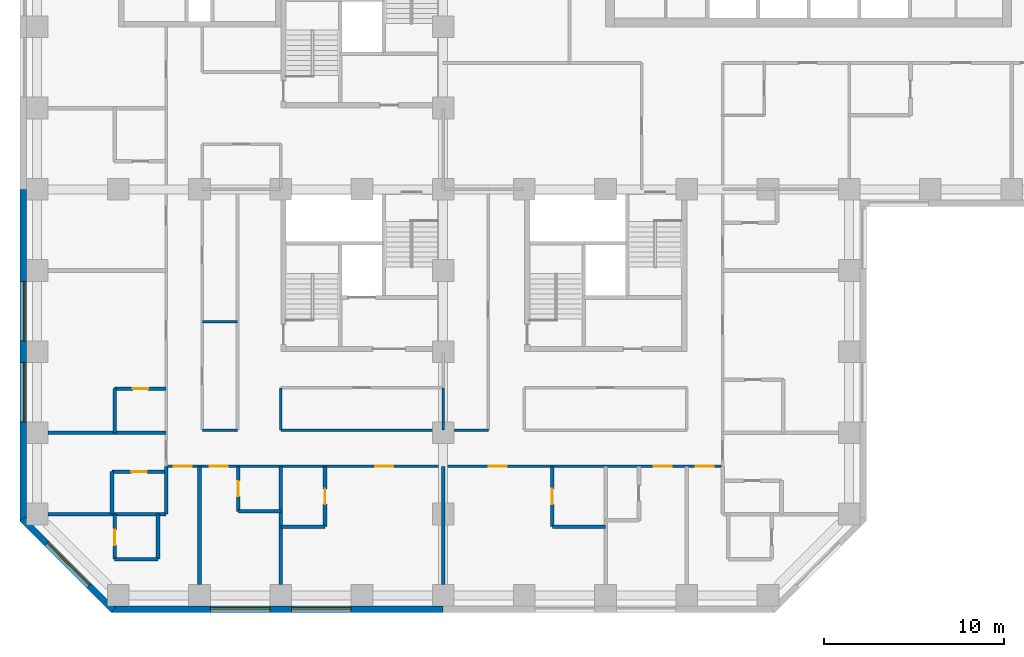
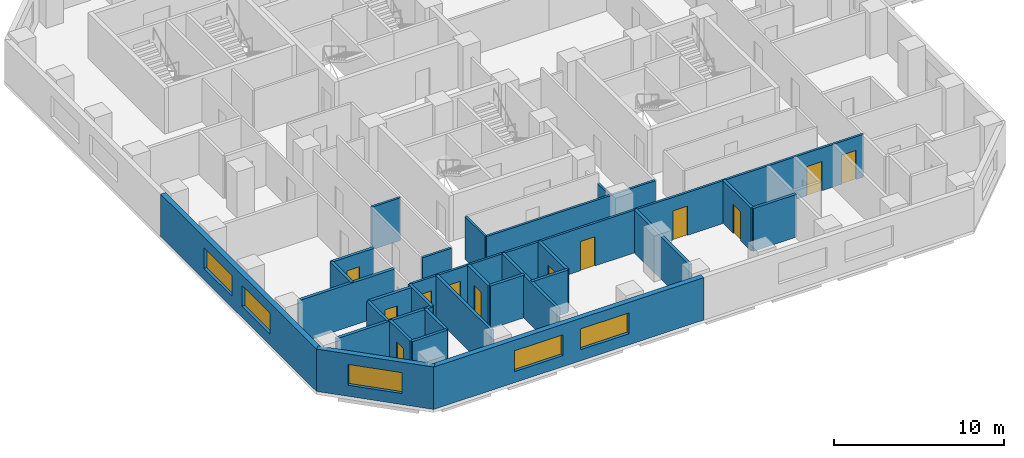
# One storey, part 2 of 12: 28 walls, 12 doors, 5 windows, 17 openings.
"""IFC4 building model written with IfcOpenShell, lengths in metres."""

from ifc_helpers import new_model, si_unit, direction, frame, frame_2d, origin, place, context, subcontext, project, spatial, rectangle, extrude, material, layer, layer_set, constituent, constituent_set, type_object, element, fill, save


model = new_model("IFC4")

# Units and contexts
model_context = context("Model", 3, precision=1e-05, world=origin(), true_north=direction((0.0, 1.0)))
body_context = subcontext(model_context, "Body", "Model", "MODEL_VIEW")
ifc_project = project(units=[si_unit("LENGTHUNIT", "METRE"), si_unit("AREAUNIT", "SQUARE_METRE"), si_unit("VOLUMEUNIT", "CUBIC_METRE"), si_unit("PLANEANGLEUNIT", "RADIAN"), si_unit("MASSUNIT", "GRAM", prefix="KILO")], contexts=[model_context])

# Site, building, storey
site_placement = place(None, origin())
site = spatial("IfcSite", under=ifc_project, at=site_placement, CompositionType="ELEMENT")
building_placement = place(site_placement, origin())
building = spatial("IfcBuilding", under=site, at=building_placement, Name="Quoin Convention Tower", CompositionType="ELEMENT")
storey_placement = place(building_placement, frame((0.0, 0.0, 46.199951171875)))
storey = spatial("IfcBuildingStorey", under=building, at=storey_placement, Name="L11", CompositionType="ELEMENT", Elevation=46.199951171875)

# Wall, opening, window
ifc_material_1 = material(Name="Brick masonry", Category="masonry")
ifc_layer_1 = layer(ifc_material_1, 0.35009765625)
ifc_layer_set_1 = layer_set([ifc_layer_1], Name="Brick masonry")
wall_type_1 = type_object("IfcWallType", Name="Brick facade wall", PredefinedType="STANDARD", material=ifc_layer_set_1)
wall_1_placement = place(storey_placement, frame((12.673583984375, 22.230224609375, 0.0), z_axis=(0.0, 0.0, 1.0), x_axis=(0.707106781187, -0.707106781187, 0.0)))
wall_1 = element("IfcWall", 1, at=wall_1_placement, inside=storey, type_object=wall_type_1, Name="fw-L11-13500_22500", PredefinedType="STANDARD", context=body_context, shape_type="SweptSolid", body=[
    extrude(rectangle(XDim=7.151123046875, YDim=0.35009765625, at=frame_2d((3.57568359375, 0.0))), origin(), (0.0, 0.0, 1.0), 3.054931640625),
])
opening_1_placement = place(wall_1_placement, frame((1.925537109375, 0.0, 0.800048828125)))
opening_1 = element("IfcOpeningElement", 2, at=opening_1_placement, cuts=wall_1, Name="Opening W-01", PredefinedType="OPENING", context=body_context, shape_type="SweptSolid", body=[
    extrude(rectangle(XDim=3.300048828125, YDim=1.5, at=frame_2d((1.64990234375, 0.75))), frame((0.0, 0.18505859375, 0.0), z_axis=(0.0, -1.0, 0.0), x_axis=(1.0, 0.0, 0.0)), (0.0, 0.0, 1.0), 0.3701171875),
])
ifc_material_2 = material(Name="Aluminium", Category="aluminium")
ifc_constituent_1 = constituent(ifc_material_2, Name="Frame")
ifc_material_3 = material(Name="Insulated glass", Category="glass")
ifc_constituent_2 = constituent(ifc_material_3, Name="Glazing")
ifc_constituent_set = constituent_set(constituents=[ifc_constituent_1, ifc_constituent_2], Name="Aluminium")
window_type = type_object("IfcWindowType", Name="Hotel strip window", PartitioningType="DOUBLE_PANEL_VERTICAL", PredefinedType="WINDOW", material=ifc_constituent_set)
window_1_placement = place(opening_1_placement, origin())
window_1 = element("IfcWindow", 3, at=window_1_placement, inside=storey, type_object=window_type, Name="win-L11-15202_19702", OverallHeight=1.5, OverallWidth=3.300048828125, PartitioningType="SINGLE_PANEL", PredefinedType="WINDOW", context=body_context, shape_type="SweptSolid", body=[
    extrude(rectangle(XDim=3.300048828125, YDim=1.5, at=frame_2d((1.64990234375, 0.75))), frame((0.0, 0.0849609375, 0.0), z_axis=(0.0, -1.0, 0.0), x_axis=(1.0, 0.0, 0.0)), (0.0, 0.0, 1.0), 0.06005859375),
])
fill(opening_1, window_1)

# Wall, openings, windows
wall_2_placement = place(storey_placement, frame((17.6064453125, 17.22509765625, 0.0), z_axis=(0.0, 0.0, 1.0), x_axis=(1.0, 0.0, 0.0)))
wall_2 = element("IfcWall", 4, at=wall_2_placement, inside=storey, type_object=wall_type_1, Name="fw-L11-18000_18000", PredefinedType="STANDARD", context=body_context, shape_type="SweptSolid", body=[
    extrude(rectangle(XDim=18.3935546875, YDim=0.35009765625, at=frame_2d((9.19677734375, 0.0))), origin(), (0.0, 0.0, 1.0), 3.054931640625),
])
opening_2_placement = place(wall_2_placement, frame((5.493408203125, 0.0, 0.800048828125)))
opening_2 = element("IfcOpeningElement", 5, at=opening_2_placement, cuts=wall_2, Name="Opening W-01", PredefinedType="OPENING", context=body_context, shape_type="SweptSolid", body=[
    extrude(rectangle(XDim=3.300048828125, YDim=1.5, at=frame_2d((1.64990234375, 0.75))), frame((0.0, 0.18505859375, 0.0), z_axis=(0.0, -1.0, 0.0), x_axis=(1.0, 0.0, 0.0)), (0.0, 0.0, 1.0), 0.3701171875),
])
opening_3_placement = place(wall_2_placement, frame((9.993408203125, 0.0, 0.800048828125)))
opening_3 = element("IfcOpeningElement", 6, at=opening_3_placement, cuts=wall_2, Name="Opening W-01", PredefinedType="OPENING", context=body_context, shape_type="SweptSolid", body=[
    extrude(rectangle(XDim=3.300048828125, YDim=1.5, at=frame_2d((1.64990234375, 0.75))), frame((0.0, 0.18505859375, 0.0), z_axis=(0.0, -1.0, 0.0), x_axis=(1.0, 0.0, 0.0)), (0.0, 0.0, 1.0), 0.3701171875),
])
window_2_placement = place(opening_2_placement, origin())
window_2 = element("IfcWindow", 7, at=window_2_placement, inside=storey, type_object=window_type, Name="win-L11-24750_17225", OverallHeight=1.5, OverallWidth=3.300048828125, PartitioningType="SINGLE_PANEL", PredefinedType="WINDOW", context=body_context, shape_type="SweptSolid", body=[
    extrude(rectangle(XDim=3.300048828125, YDim=1.5, at=frame_2d((1.64990234375, 0.75))), frame((0.0, 0.0849609375, 0.0), z_axis=(0.0, -1.0, 0.0), x_axis=(1.0, 0.0, 0.0)), (0.0, 0.0, 1.0), 0.06005859375),
])
fill(opening_2, window_2)
window_3_placement = place(opening_3_placement, origin())
window_3 = element("IfcWindow", 8, at=window_3_placement, inside=storey, type_object=window_type, Name="win-L11-29250_17225", OverallHeight=1.5, OverallWidth=3.300048828125, PartitioningType="SINGLE_PANEL", PredefinedType="WINDOW", context=body_context, shape_type="SweptSolid", body=[
    extrude(rectangle(XDim=3.300048828125, YDim=1.5, at=frame_2d((1.64990234375, 0.75))), frame((0.0, 0.0849609375, 0.0), z_axis=(0.0, -1.0, 0.0), x_axis=(1.0, 0.0, 0.0)), (0.0, 0.0, 1.0), 0.06005859375),
])
fill(opening_3, window_3)

wall_3_placement = place(storey_placement, frame((12.72509765625, 40.5, 0.0), z_axis=(0.0, 0.0, 1.0), x_axis=(0.0, -1.0, 0.0)))
wall_3 = element("IfcWall", 9, at=wall_3_placement, inside=storey, type_object=wall_type_1, Name="fw-L11-13500_40500", PredefinedType="STANDARD", context=body_context, shape_type="SweptSolid", body=[
    extrude(rectangle(XDim=18.3935546875, YDim=0.35009765625, at=frame_2d((9.19677734375, 0.0))), origin(), (0.0, 0.0, 1.0), 3.054931640625),
])
opening_4_placement = place(wall_3_placement, frame((5.10009765625, 0.0, 0.800048828125)))
opening_4 = element("IfcOpeningElement", 10, at=opening_4_placement, cuts=wall_3, Name="Opening W-01", PredefinedType="OPENING", context=body_context, shape_type="SweptSolid", body=[
    extrude(rectangle(XDim=3.300048828125, YDim=1.5, at=frame_2d((1.64990234375, 0.75))), frame((0.0, 0.18505859375, 0.0), z_axis=(0.0, -1.0, 0.0), x_axis=(1.0, 0.0, 0.0)), (0.0, 0.0, 1.0), 0.3701171875),
])
opening_5_placement = place(wall_3_placement, frame((9.60009765625, 0.0, 0.800048828125)))
opening_5 = element("IfcOpeningElement", 11, at=opening_5_placement, cuts=wall_3, Name="Opening W-01", PredefinedType="OPENING", context=body_context, shape_type="SweptSolid", body=[
    extrude(rectangle(XDim=3.300048828125, YDim=1.5, at=frame_2d((1.64990234375, 0.75))), frame((0.0, 0.18505859375, 0.0), z_axis=(0.0, -1.0, 0.0), x_axis=(1.0, 0.0, 0.0)), (0.0, 0.0, 1.0), 0.3701171875),
])
window_4_placement = place(opening_4_placement, origin())
window_4 = element("IfcWindow", 12, at=window_4_placement, inside=storey, type_object=window_type, Name="win-L11-12725_33750", OverallHeight=1.5, OverallWidth=3.300048828125, PartitioningType="SINGLE_PANEL", PredefinedType="WINDOW", context=body_context, shape_type="SweptSolid", body=[
    extrude(rectangle(XDim=3.300048828125, YDim=1.5, at=frame_2d((1.64990234375, 0.75))), frame((0.0, 0.0849609375, 0.0), z_axis=(0.0, -1.0, 0.0), x_axis=(1.0, 0.0, 0.0)), (0.0, 0.0, 1.0), 0.06005859375),
])
fill(opening_4, window_4)
window_5_placement = place(opening_5_placement, origin())
window_5 = element("IfcWindow", 13, at=window_5_placement, inside=storey, type_object=window_type, Name="win-L11-12725_29250", OverallHeight=1.5, OverallWidth=3.300048828125, PartitioningType="SINGLE_PANEL", PredefinedType="WINDOW", context=body_context, shape_type="SweptSolid", body=[
    extrude(rectangle(XDim=3.300048828125, YDim=1.5, at=frame_2d((1.64990234375, 0.75))), frame((0.0, 0.0849609375, 0.0), z_axis=(0.0, -1.0, 0.0), x_axis=(1.0, 0.0, 0.0)), (0.0, 0.0, 1.0), 0.06005859375),
])
fill(opening_5, window_5)

# Walls
ifc_material_4 = material(Name="Concrete C50", Category="concrete")
ifc_layer_2 = layer(ifc_material_4, 0.199951171875)
ifc_layer_set_2 = layer_set([ifc_layer_2], Name="Concrete C50")
wall_type_2 = type_object("IfcWallType", Name="RC party wall", PredefinedType="SOLIDWALL", material=ifc_layer_set_2)
for number, where, z_axis, x_axis, name in (
    (14, (22.5, 18.60009765625, 0.0), (0.0, 0.0, 1.0), (0.0, 1.0, 0.0), "pw-L11-035"),
    (15, (27.0, 18.60009765625, 0.0), (0.0, 0.0, 1.0), (0.0, 1.0, 0.0), "pw-L11-036"),
    (16, (36.0, 18.60009765625, 0.0), (0.0, 0.0, 1.0), (0.0, 1.0, 0.0), "pw-L11-037"),
):
    element("IfcWall", number, at=place(storey_placement, frame(where, z_axis=z_axis, x_axis=x_axis)), inside=storey, type_object=wall_type_2, Name=name, PredefinedType="SOLIDWALL", context=body_context, shape_type="SweptSolid", body=[
        extrude(rectangle(XDim=6.5498046875, YDim=0.199951171875, at=frame_2d((3.27490234375, 0.0))), origin(), (0.0, 0.0, 1.0), 3.080078125),
    ])
wall_4_placement = place(storey_placement, frame((17.800048828125, 20.0, 0.0), z_axis=(0.0, 0.0, 1.0), x_axis=(1.0, 0.0, 0.0)))
element("IfcWall", 17, at=wall_4_placement, inside=storey, type_object=wall_type_2, Name="pw-L11-040", PredefinedType="SOLIDWALL", context=body_context, shape_type="SweptSolid", body=[
    extrude(rectangle(XDim=2.39990234375, YDim=0.199951171875, at=frame_2d((1.199951171875, 0.0))), origin(), (0.0, 0.0, 1.0), 3.080078125),
])

# Wall, opening, door
wall_5_placement = place(storey_placement, frame((17.800048828125, 20.0, 0.0), z_axis=(0.0, 0.0, 1.0), x_axis=(0.0, 1.0, 0.0)))
wall_5 = element("IfcWall", 18, at=wall_5_placement, inside=storey, type_object=wall_type_2, Name="pw-L11-041", PredefinedType="SOLIDWALL", context=body_context, shape_type="SweptSolid", body=[
    extrude(rectangle(XDim=2.5, YDim=0.199951171875, at=frame_2d((1.25, 0.0))), origin(), (0.0, 0.0, 1.0), 3.080078125),
])
opening_6_placement = place(wall_5_placement, frame((0.77490234375, 0.0, 0.0)))
opening_6 = element("IfcOpeningElement", 19, at=opening_6_placement, cuts=wall_5, Name="Opening DHOTEL-H-43", PredefinedType="OPENING", context=body_context, shape_type="SweptSolid", body=[
    extrude(rectangle(XDim=0.85009765625, YDim=2.10009765625, at=frame_2d((0.425048828125, 1.050048828125))), frame((0.0, 0.10986328125, 0.0), z_axis=(0.0, -1.0, 0.0), x_axis=(1.0, 0.0, 0.0)), (0.0, 0.0, 1.0), 0.219970703125),
])
ifc_material_5 = material(Name="Steel door leaf", Category="steel")
door_type_1 = type_object("IfcDoorType", Name="Bathroom door", OperationType="SINGLE_SWING_LEFT", PredefinedType="DOOR", material=ifc_material_5)
door_1_placement = place(opening_6_placement, origin())
door_1 = element("IfcDoor", 20, at=door_1_placement, inside=storey, type_object=door_type_1, Name="dr-L11-058", OperationType="SINGLE_SWING_RIGHT", OverallHeight=2.10009765625, OverallWidth=0.85009765625, PredefinedType="DOOR", context=body_context, shape_type="SweptSolid", body=[
    extrude(rectangle(XDim=0.85009765625, YDim=2.10009765625, at=frame_2d((0.425048828125, 1.050048828125))), frame((0.0, 0.02490234375, 0.0), z_axis=(0.0, -1.0, 0.0), x_axis=(1.0, 0.0, 0.0)), (0.0, 0.0, 1.0), 0.050048828125),
])
fill(opening_6, door_1)

# Walls
wall_6_placement = place(storey_placement, frame((20.199951171875, 20.0, 0.0), z_axis=(0.0, 0.0, 1.0), x_axis=(0.0, 1.0, 0.0)))
element("IfcWall", 21, at=wall_6_placement, inside=storey, type_object=wall_type_2, Name="pw-L11-042", PredefinedType="SOLIDWALL", context=body_context, shape_type="SweptSolid", body=[
    extrude(rectangle(XDim=2.5, YDim=0.199951171875, at=frame_2d((1.25, 0.0))), origin(), (0.0, 0.0, 1.0), 3.080078125),
])
wall_7_placement = place(storey_placement, frame((27.0, 21.800048828125, 0.0), z_axis=(0.0, 0.0, 1.0), x_axis=(1.0, 0.0, 0.0)))
element("IfcWall", 22, at=wall_7_placement, inside=storey, type_object=wall_type_2, Name="pw-L11-046", PredefinedType="SOLIDWALL", context=body_context, shape_type="SweptSolid", body=[
    extrude(rectangle(XDim=2.449951171875, YDim=0.199951171875, at=frame_2d((1.22509765625, 0.0))), origin(), (0.0, 0.0, 1.0), 3.080078125),
])

# Wall, opening, door
wall_8_placement = place(storey_placement, frame((29.449951171875, 21.800048828125, 0.0), z_axis=(0.0, 0.0, 1.0), x_axis=(0.0, 1.0, 0.0)))
wall_8 = element("IfcWall", 23, at=wall_8_placement, inside=storey, type_object=wall_type_2, Name="pw-L11-047", PredefinedType="SOLIDWALL", context=body_context, shape_type="SweptSolid", body=[
    extrude(rectangle(XDim=3.349853515625, YDim=0.199951171875, at=frame_2d((1.6748046875, 0.0))), origin(), (0.0, 0.0, 1.0), 3.080078125),
])
opening_7_placement = place(wall_8_placement, frame((1.25, 0.0, 0.0)))
opening_7 = element("IfcOpeningElement", 24, at=opening_7_placement, cuts=wall_8, Name="Opening DHOTEL-H-45", PredefinedType="OPENING", context=body_context, shape_type="SweptSolid", body=[
    extrude(rectangle(XDim=0.85009765625, YDim=2.10009765625, at=frame_2d((0.425048828125, 1.050048828125))), frame((0.0, 0.10986328125, 0.0), z_axis=(0.0, -1.0, 0.0), x_axis=(1.0, 0.0, 0.0)), (0.0, 0.0, 1.0), 0.219970703125),
])
door_2_placement = place(opening_7_placement, frame((0.85009765625, 0.0, 0.0), z_axis=(0.0, 0.0, 1.0), x_axis=(-1.0, 0.0, 0.0)))
door_2 = element("IfcDoor", 25, at=door_2_placement, inside=storey, type_object=door_type_1, Name="dr-L11-004", OperationType="SINGLE_SWING_LEFT", OverallHeight=2.10009765625, OverallWidth=0.85009765625, PredefinedType="DOOR", context=body_context, shape_type="SweptSolid", body=[
    extrude(rectangle(XDim=0.85009765625, YDim=2.10009765625, at=frame_2d((0.425048828125, 1.050048828125))), frame((0.0, 0.02490234375, 0.0), z_axis=(0.0, -1.0, 0.0), x_axis=(1.0, 0.0, 0.0)), (0.0, 0.0, 1.0), 0.050048828125),
])
fill(opening_7, door_2)

# Wall
wall_9_placement = place(storey_placement, frame((42.050048828125, 21.800048828125, 0.0), z_axis=(0.0, 0.0, 1.0), x_axis=(1.0, 0.0, 0.0)))
element("IfcWall", 26, at=wall_9_placement, inside=storey, type_object=wall_type_2, Name="pw-L11-048", PredefinedType="SOLIDWALL", context=body_context, shape_type="SweptSolid", body=[
    extrude(rectangle(XDim=2.949951171875, YDim=0.199951171875, at=frame_2d((1.47509765625, 0.0))), origin(), (0.0, 0.0, 1.0), 3.080078125),
])

# Wall, opening, door
wall_10_placement = place(storey_placement, frame((42.050048828125, 21.800048828125, 0.0), z_axis=(0.0, 0.0, 1.0), x_axis=(0.0, 1.0, 0.0)))
wall_10 = element("IfcWall", 27, at=wall_10_placement, inside=storey, type_object=wall_type_2, Name="pw-L11-049", PredefinedType="SOLIDWALL", context=body_context, shape_type="SweptSolid", body=[
    extrude(rectangle(XDim=3.349853515625, YDim=0.199951171875, at=frame_2d((1.6748046875, 0.0))), origin(), (0.0, 0.0, 1.0), 3.080078125),
])
opening_8_placement = place(wall_10_placement, frame((1.25, 0.0, 0.0)))
opening_8 = element("IfcOpeningElement", 28, at=opening_8_placement, cuts=wall_10, Name="Opening DHOTEL-H-46", PredefinedType="OPENING", context=body_context, shape_type="SweptSolid", body=[
    extrude(rectangle(XDim=0.85009765625, YDim=2.10009765625, at=frame_2d((0.425048828125, 1.050048828125))), frame((0.0, 0.10986328125, 0.0), z_axis=(0.0, -1.0, 0.0), x_axis=(1.0, 0.0, 0.0)), (0.0, 0.0, 1.0), 0.219970703125),
])
door_3_placement = place(opening_8_placement, origin())
door_3 = element("IfcDoor", 29, at=door_3_placement, inside=storey, type_object=door_type_1, Name="dr-L11-006", OperationType="SINGLE_SWING_RIGHT", OverallHeight=2.10009765625, OverallWidth=0.85009765625, PredefinedType="DOOR", context=body_context, shape_type="SweptSolid", body=[
    extrude(rectangle(XDim=0.85009765625, YDim=2.10009765625, at=frame_2d((0.425048828125, 1.050048828125))), frame((0.0, 0.02490234375, 0.0), z_axis=(0.0, -1.0, 0.0), x_axis=(1.0, 0.0, 0.0)), (0.0, 0.0, 1.0), 0.050048828125),
])
fill(opening_8, door_3)

# Walls
wall_11_placement = place(storey_placement, frame((14.10009765625, 22.5, 0.0), z_axis=(0.0, 0.0, 1.0), x_axis=(1.0, 0.0, 0.0)))
element("IfcWall", 30, at=wall_11_placement, inside=storey, type_object=wall_type_2, Name="pw-L11-052", PredefinedType="SOLIDWALL", context=body_context, shape_type="SweptSolid", body=[
    extrude(rectangle(XDim=6.5498046875, YDim=0.199951171875, at=frame_2d((3.27490234375, 0.0))), origin(), (0.0, 0.0, 1.0), 3.080078125),
])
wall_12_placement = place(storey_placement, frame((17.64990234375, 22.5, 0.0), z_axis=(0.0, 0.0, 1.0), x_axis=(0.0, 1.0, 0.0)))
element("IfcWall", 31, at=wall_12_placement, inside=storey, type_object=wall_type_2, Name="pw-L11-053", PredefinedType="SOLIDWALL", context=body_context, shape_type="SweptSolid", body=[
    extrude(rectangle(XDim=2.35009765625, YDim=0.199951171875, at=frame_2d((1.175048828125, 0.0))), origin(), (0.0, 0.0, 1.0), 3.080078125),
])
wall_13_placement = place(storey_placement, frame((20.64990234375, 22.5, 0.0), z_axis=(0.0, 0.0, 1.0), x_axis=(0.0, 1.0, 0.0)))
element("IfcWall", 32, at=wall_13_placement, inside=storey, type_object=wall_type_2, Name="pw-L11-054", PredefinedType="SOLIDWALL", context=body_context, shape_type="SweptSolid", body=[
    extrude(rectangle(XDim=2.64990234375, YDim=0.199951171875, at=frame_2d((1.324951171875, 0.0))), origin(), (0.0, 0.0, 1.0), 3.080078125),
])
wall_14_placement = place(storey_placement, frame((24.64990234375, 22.64990234375, 0.0), z_axis=(0.0, 0.0, 1.0), x_axis=(1.0, 0.0, 0.0)))
element("IfcWall", 33, at=wall_14_placement, inside=storey, type_object=wall_type_2, Name="pw-L11-058", PredefinedType="SOLIDWALL", context=body_context, shape_type="SweptSolid", body=[
    extrude(rectangle(XDim=2.35009765625, YDim=0.199951171875, at=frame_2d((1.175048828125, 0.0))), origin(), (0.0, 0.0, 1.0), 3.080078125),
])

# Wall, opening, door
wall_15_placement = place(storey_placement, frame((24.64990234375, 22.64990234375, 0.0), z_axis=(0.0, 0.0, 1.0), x_axis=(0.0, 1.0, 0.0)))
wall_15 = element("IfcWall", 34, at=wall_15_placement, inside=storey, type_object=wall_type_2, Name="pw-L11-059", PredefinedType="SOLIDWALL", context=body_context, shape_type="SweptSolid", body=[
    extrude(rectangle(XDim=2.5, YDim=0.199951171875, at=frame_2d((1.25, 0.0))), origin(), (0.0, 0.0, 1.0), 3.080078125),
])
opening_9_placement = place(wall_15_placement, frame((0.824951171875, 0.0, 0.0)))
opening_9 = element("IfcOpeningElement", 35, at=opening_9_placement, cuts=wall_15, Name="Opening DHOTEL-H-48", PredefinedType="OPENING", context=body_context, shape_type="SweptSolid", body=[
    extrude(rectangle(XDim=0.85009765625, YDim=2.10009765625, at=frame_2d((0.425048828125, 1.050048828125))), frame((0.0, 0.10986328125, 0.0), z_axis=(0.0, -1.0, 0.0), x_axis=(1.0, 0.0, 0.0)), (0.0, 0.0, 1.0), 0.219970703125),
])
door_4_placement = place(opening_9_placement, frame((0.85009765625, 0.0, 0.0), z_axis=(0.0, 0.0, 1.0), x_axis=(-1.0, 0.0, 0.0)))
door_4 = element("IfcDoor", 36, at=door_4_placement, inside=storey, type_object=door_type_1, Name="dr-L11-002", OperationType="SINGLE_SWING_LEFT", OverallHeight=2.10009765625, OverallWidth=0.85009765625, PredefinedType="DOOR", context=body_context, shape_type="SweptSolid", body=[
    extrude(rectangle(XDim=0.85009765625, YDim=2.10009765625, at=frame_2d((0.425048828125, 1.050048828125))), frame((0.0, 0.02490234375, 0.0), z_axis=(0.0, -1.0, 0.0), x_axis=(1.0, 0.0, 0.0)), (0.0, 0.0, 1.0), 0.050048828125),
])
fill(opening_9, door_4)

wall_16_placement = place(storey_placement, frame((17.64990234375, 24.85009765625, 0.0), z_axis=(0.0, 0.0, 1.0), x_axis=(1.0, 0.0, 0.0)))
wall_16 = element("IfcWall", 37, at=wall_16_placement, inside=storey, type_object=wall_type_2, Name="pw-L11-061", PredefinedType="SOLIDWALL", context=body_context, shape_type="SweptSolid", body=[
    extrude(rectangle(XDim=3.0, YDim=0.199951171875, at=frame_2d((1.5, 0.0))), origin(), (0.0, 0.0, 1.0), 3.080078125),
])
opening_10_placement = place(wall_16_placement, frame((1.074951171875, 0.0, 0.0)))
opening_10 = element("IfcOpeningElement", 38, at=opening_10_placement, cuts=wall_16, Name="Opening DHOTEL-H-50", PredefinedType="OPENING", context=body_context, shape_type="SweptSolid", body=[
    extrude(rectangle(XDim=0.85009765625, YDim=2.10009765625, at=frame_2d((0.425048828125, 1.050048828125))), frame((0.0, 0.10986328125, 0.0), z_axis=(0.0, -1.0, 0.0), x_axis=(1.0, 0.0, 0.0)), (0.0, 0.0, 1.0), 0.219970703125),
])
door_5_placement = place(opening_10_placement, origin())
door_5 = element("IfcDoor", 39, at=door_5_placement, inside=storey, type_object=door_type_1, Name="dr-L11-010", OperationType="SINGLE_SWING_RIGHT", OverallHeight=2.10009765625, OverallWidth=0.85009765625, PredefinedType="DOOR", context=body_context, shape_type="SweptSolid", body=[
    extrude(rectangle(XDim=0.85009765625, YDim=2.10009765625, at=frame_2d((0.425048828125, 1.050048828125))), frame((0.0, 0.02490234375, 0.0), z_axis=(0.0, -1.0, 0.0), x_axis=(1.0, 0.0, 0.0)), (0.0, 0.0, 1.0), 0.050048828125),
])
fill(opening_10, door_5)

# Walls
wall_17_placement = place(storey_placement, frame((14.10009765625, 27.0, 0.0), z_axis=(0.0, 0.0, 1.0), x_axis=(1.0, 0.0, 0.0)))
element("IfcWall", 40, at=wall_17_placement, inside=storey, type_object=wall_type_2, Name="pw-L11-062", PredefinedType="SOLIDWALL", context=body_context, shape_type="SweptSolid", body=[
    extrude(rectangle(XDim=6.5498046875, YDim=0.199951171875, at=frame_2d((3.27490234375, 0.0))), origin(), (0.0, 0.0, 1.0), 3.080078125),
])
wall_18_placement = place(storey_placement, frame((17.800048828125, 27.0, 0.0), z_axis=(0.0, 0.0, 1.0), x_axis=(0.0, 1.0, 0.0)))
element("IfcWall", 41, at=wall_18_placement, inside=storey, type_object=wall_type_2, Name="pw-L11-063", PredefinedType="SOLIDWALL", context=body_context, shape_type="SweptSolid", body=[
    extrude(rectangle(XDim=2.449951171875, YDim=0.199951171875, at=frame_2d((1.22509765625, 0.0))), origin(), (0.0, 0.0, 1.0), 3.080078125),
])

# Wall, opening, door
wall_19_placement = place(storey_placement, frame((17.800048828125, 29.449951171875, 0.0), z_axis=(0.0, 0.0, 1.0), x_axis=(1.0, 0.0, 0.0)))
wall_19 = element("IfcWall", 42, at=wall_19_placement, inside=storey, type_object=wall_type_2, Name="pw-L11-066", PredefinedType="SOLIDWALL", context=body_context, shape_type="SweptSolid", body=[
    extrude(rectangle(XDim=2.849853515625, YDim=0.199951171875, at=frame_2d((1.4248046875, 0.0))), origin(), (0.0, 0.0, 1.0), 3.080078125),
])
opening_11_placement = place(wall_19_placement, frame((1.0, 0.0, 0.0)))
opening_11 = element("IfcOpeningElement", 43, at=opening_11_placement, cuts=wall_19, Name="Opening DHOTEL-H-51", PredefinedType="OPENING", context=body_context, shape_type="SweptSolid", body=[
    extrude(rectangle(XDim=0.85009765625, YDim=2.10009765625, at=frame_2d((0.425048828125, 1.050048828125))), frame((0.0, 0.10986328125, 0.0), z_axis=(0.0, -1.0, 0.0), x_axis=(1.0, 0.0, 0.0)), (0.0, 0.0, 1.0), 0.219970703125),
])
door_6_placement = place(opening_11_placement, origin())
door_6 = element("IfcDoor", 44, at=door_6_placement, inside=storey, type_object=door_type_1, Name="dr-L11-012", OperationType="SINGLE_SWING_RIGHT", OverallHeight=2.10009765625, OverallWidth=0.85009765625, PredefinedType="DOOR", context=body_context, shape_type="SweptSolid", body=[
    extrude(rectangle(XDim=0.85009765625, YDim=2.10009765625, at=frame_2d((0.425048828125, 1.050048828125))), frame((0.0, 0.02490234375, 0.0), z_axis=(0.0, -1.0, 0.0), x_axis=(1.0, 0.0, 0.0)), (0.0, 0.0, 1.0), 0.050048828125),
])
fill(opening_11, door_6)

# Wall, openings, doors
ifc_material_6 = material(Name="Plasterboard")
ifc_layer_3 = layer(ifc_material_6, 0.012451171875, Name="Finish")
ifc_material_7 = material(Name="Steel stud framing", Category="steel")
ifc_layer_4 = layer(ifc_material_7, 0.125, Name="Structure")
ifc_layer_5 = layer(ifc_material_6, 0.012451171875, Name="Finish")
ifc_layer_set_3 = layer_set([ifc_layer_3, ifc_layer_4, ifc_layer_5], Name="Steel stud framing")
wall_type_3 = type_object("IfcWallType", Name="corridor partition", PredefinedType="PARTITIONING", material=ifc_layer_set_3)
wall_20_placement = place(storey_placement, frame((20.64990234375, 25.14990234375, 0.0), z_axis=(0.0, 0.0, 1.0), x_axis=(1.0, 0.0, 0.0)))
wall_20 = element("IfcWall", 45, at=wall_20_placement, inside=storey, type_object=wall_type_3, Name="pw-L11-003", PredefinedType="PARTITIONING", context=body_context, shape_type="SweptSolid", body=[
    extrude(rectangle(XDim=30.85009765625, YDim=0.14990234375, at=frame_2d((15.425048828125, 0.0))), origin(), (0.0, 0.0, 1.0), 3.080078125),
])
opening_12_placement = place(wall_20_placement, frame((2.425048828125, 0.0, 0.0)))
opening_12 = element("IfcOpeningElement", 46, at=opening_12_placement, cuts=wall_20, Name="Opening DHOTEL-H-02", PredefinedType="OPENING", context=body_context, shape_type="SweptSolid", body=[
    extrude(rectangle(XDim=1.0, YDim=2.10009765625, at=frame_2d((0.5, 1.050048828125))), frame((0.0, 0.0849609375, 0.0), z_axis=(0.0, -1.0, 0.0), x_axis=(1.0, 0.0, 0.0)), (0.0, 0.0, 1.0), 0.169921875),
])
opening_13_placement = place(wall_20_placement, frame((11.574951171875, 0.0, 0.0)))
opening_13 = element("IfcOpeningElement", 47, at=opening_13_placement, cuts=wall_20, Name="Opening DHOTEL-H-03", PredefinedType="OPENING", context=body_context, shape_type="SweptSolid", body=[
    extrude(rectangle(XDim=1.0, YDim=2.10009765625, at=frame_2d((0.5, 1.050048828125))), frame((0.0, 0.0849609375, 0.0), z_axis=(0.0, -1.0, 0.0), x_axis=(1.0, 0.0, 0.0)), (0.0, 0.0, 1.0), 0.169921875),
])
opening_14_placement = place(wall_20_placement, frame((17.875, 0.0, 0.0)))
opening_14 = element("IfcOpeningElement", 48, at=opening_14_placement, cuts=wall_20, Name="Opening DHOTEL-H-04", PredefinedType="OPENING", context=body_context, shape_type="SweptSolid", body=[
    extrude(rectangle(XDim=1.0, YDim=2.10009765625, at=frame_2d((0.5, 1.050048828125))), frame((0.0, 0.0849609375, 0.0), z_axis=(0.0, -1.0, 0.0), x_axis=(1.0, 0.0, 0.0)), (0.0, 0.0, 1.0), 0.169921875),
])
opening_15_placement = place(wall_20_placement, frame((27.02490234375, 0.0, 0.0)))
opening_15 = element("IfcOpeningElement", 49, at=opening_15_placement, cuts=wall_20, Name="Opening DHOTEL-H-05", PredefinedType="OPENING", context=body_context, shape_type="SweptSolid", body=[
    extrude(rectangle(XDim=1.0, YDim=2.10009765625, at=frame_2d((0.5, 1.050048828125))), frame((0.0, 0.0849609375, 0.0), z_axis=(0.0, -1.0, 0.0), x_axis=(1.0, 0.0, 0.0)), (0.0, 0.0, 1.0), 0.169921875),
])
opening_16_placement = place(wall_20_placement, frame((0.425048828125, 0.0, 0.0)))
opening_16 = element("IfcOpeningElement", 50, at=opening_16_placement, cuts=wall_20, Name="Opening DHOTEL-H-01", PredefinedType="OPENING", context=body_context, shape_type="SweptSolid", body=[
    extrude(rectangle(XDim=1.0, YDim=2.10009765625, at=frame_2d((0.5, 1.050048828125))), frame((0.0, 0.0849609375, 0.0), z_axis=(0.0, -1.0, 0.0), x_axis=(1.0, 0.0, 0.0)), (0.0, 0.0, 1.0), 0.169921875),
])
opening_17_placement = place(wall_20_placement, frame((29.35009765625, 0.0, 0.0)))
opening_17 = element("IfcOpeningElement", 51, at=opening_17_placement, cuts=wall_20, Name="Opening DHOTEL-H-06", PredefinedType="OPENING", context=body_context, shape_type="SweptSolid", body=[
    extrude(rectangle(XDim=1.0, YDim=2.10009765625, at=frame_2d((0.5, 1.050048828125))), frame((0.0, 0.0849609375, 0.0), z_axis=(0.0, -1.0, 0.0), x_axis=(1.0, 0.0, 0.0)), (0.0, 0.0, 1.0), 0.169921875),
])
door_type_2 = type_object("IfcDoorType", Name="Hotel room door", OperationType="SINGLE_SWING_LEFT", PredefinedType="DOOR", material=ifc_material_5)
door_7_placement = place(opening_12_placement, frame((1.0, 0.0, 0.0), z_axis=(0.0, 0.0, 1.0), x_axis=(-1.0, 0.0, 0.0)))
door_7 = element("IfcDoor", 52, at=door_7_placement, inside=storey, type_object=door_type_2, Name="dr-L11-001", OperationType="SINGLE_SWING_LEFT", OverallHeight=2.10009765625, OverallWidth=1.0, PredefinedType="DOOR", context=body_context, shape_type="SweptSolid", body=[
    extrude(rectangle(XDim=1.0, YDim=2.10009765625, at=frame_2d((0.5, 1.050048828125))), frame((0.0, 0.02490234375, 0.0), z_axis=(0.0, -1.0, 0.0), x_axis=(1.0, 0.0, 0.0)), (0.0, 0.0, 1.0), 0.050048828125),
])
fill(opening_12, door_7)
door_8_placement = place(opening_13_placement, frame((1.0, 0.0, 0.0), z_axis=(0.0, 0.0, 1.0), x_axis=(-1.0, 0.0, 0.0)))
door_8 = element("IfcDoor", 53, at=door_8_placement, inside=storey, type_object=door_type_2, Name="dr-L11-003", OperationType="SINGLE_SWING_LEFT", OverallHeight=2.10009765625, OverallWidth=1.0, PredefinedType="DOOR", context=body_context, shape_type="SweptSolid", body=[
    extrude(rectangle(XDim=1.0, YDim=2.10009765625, at=frame_2d((0.5, 1.050048828125))), frame((0.0, 0.02490234375, 0.0), z_axis=(0.0, -1.0, 0.0), x_axis=(1.0, 0.0, 0.0)), (0.0, 0.0, 1.0), 0.050048828125),
])
fill(opening_13, door_8)
door_9_placement = place(opening_14_placement, frame((1.0, 0.0, 0.0), z_axis=(0.0, 0.0, 1.0), x_axis=(-1.0, 0.0, 0.0)))
door_9 = element("IfcDoor", 54, at=door_9_placement, inside=storey, type_object=door_type_2, Name="dr-L11-005", OperationType="SINGLE_SWING_LEFT", OverallHeight=2.10009765625, OverallWidth=1.0, PredefinedType="DOOR", context=body_context, shape_type="SweptSolid", body=[
    extrude(rectangle(XDim=1.0, YDim=2.10009765625, at=frame_2d((0.5, 1.050048828125))), frame((0.0, 0.02490234375, 0.0), z_axis=(0.0, -1.0, 0.0), x_axis=(1.0, 0.0, 0.0)), (0.0, 0.0, 1.0), 0.050048828125),
])
fill(opening_14, door_9)
door_10_placement = place(opening_15_placement, frame((1.0, 0.0, 0.0), z_axis=(0.0, 0.0, 1.0), x_axis=(-1.0, 0.0, 0.0)))
door_10 = element("IfcDoor", 55, at=door_10_placement, inside=storey, type_object=door_type_2, Name="dr-L11-007", OperationType="SINGLE_SWING_LEFT", OverallHeight=2.10009765625, OverallWidth=1.0, PredefinedType="DOOR", context=body_context, shape_type="SweptSolid", body=[
    extrude(rectangle(XDim=1.0, YDim=2.10009765625, at=frame_2d((0.5, 1.050048828125))), frame((0.0, 0.02490234375, 0.0), z_axis=(0.0, -1.0, 0.0), x_axis=(1.0, 0.0, 0.0)), (0.0, 0.0, 1.0), 0.050048828125),
])
fill(opening_15, door_10)
door_11_placement = place(opening_16_placement, frame((1.0, 0.0, 0.0), z_axis=(0.0, 0.0, 1.0), x_axis=(-1.0, 0.0, 0.0)))
door_11 = element("IfcDoor", 56, at=door_11_placement, inside=storey, type_object=door_type_2, Name="dr-L11-057", OperationType="SINGLE_SWING_LEFT", OverallHeight=2.10009765625, OverallWidth=1.0, PredefinedType="DOOR", context=body_context, shape_type="SweptSolid", body=[
    extrude(rectangle(XDim=1.0, YDim=2.10009765625, at=frame_2d((0.5, 1.050048828125))), frame((0.0, 0.02490234375, 0.0), z_axis=(0.0, -1.0, 0.0), x_axis=(1.0, 0.0, 0.0)), (0.0, 0.0, 1.0), 0.050048828125),
])
fill(opening_16, door_11)
door_12_placement = place(opening_17_placement, frame((1.0, 0.0, 0.0), z_axis=(0.0, 0.0, 1.0), x_axis=(-1.0, 0.0, 0.0)))
door_12 = element("IfcDoor", 57, at=door_12_placement, inside=storey, type_object=door_type_2, Name="dr-L11-059", OperationType="SINGLE_SWING_LEFT", OverallHeight=2.10009765625, OverallWidth=1.0, PredefinedType="DOOR", context=body_context, shape_type="SweptSolid", body=[
    extrude(rectangle(XDim=1.0, YDim=2.10009765625, at=frame_2d((0.5, 1.050048828125))), frame((0.0, 0.02490234375, 0.0), z_axis=(0.0, -1.0, 0.0), x_axis=(1.0, 0.0, 0.0)), (0.0, 0.0, 1.0), 0.050048828125),
])
fill(opening_17, door_12)

# Walls
wall_21_placement = place(storey_placement, frame((22.64990234375, 27.14990234375, 0.0), z_axis=(0.0, 0.0, 1.0), x_axis=(1.0, 0.0, 0.0)))
element("IfcWall", 58, at=wall_21_placement, inside=storey, type_object=wall_type_3, Name="pw-L11-006", PredefinedType="PARTITIONING", context=body_context, shape_type="SweptSolid", body=[
    extrude(rectangle(XDim=1.9501953125, YDim=0.14990234375, at=frame_2d((0.97509765625, 0.0))), origin(), (0.0, 0.0, 1.0), 3.080078125),
])
wall_22_placement = place(storey_placement, frame((27.0, 27.14990234375, 0.0), z_axis=(0.0, 0.0, 1.0), x_axis=(1.0, 0.0, 0.0)))
element("IfcWall", 59, at=wall_22_placement, inside=storey, type_object=wall_type_3, Name="pw-L11-009", PredefinedType="PARTITIONING", context=body_context, shape_type="SweptSolid", body=[
    extrude(rectangle(XDim=11.5, YDim=0.14990234375, at=frame_2d((5.75, 0.0))), origin(), (0.0, 0.0, 1.0), 3.080078125),
])
wall_23_placement = place(storey_placement, frame((27.0, 27.14990234375, 0.0), z_axis=(0.0, 0.0, 1.0), x_axis=(0.0, 1.0, 0.0)))
element("IfcWall", 60, at=wall_23_placement, inside=storey, type_object=wall_type_3, Name="pw-L11-010", PredefinedType="PARTITIONING", context=body_context, shape_type="SweptSolid", body=[
    extrude(rectangle(XDim=2.35009765625, YDim=0.14990234375, at=frame_2d((1.175048828125, 0.0))), origin(), (0.0, 0.0, 1.0), 3.080078125),
])
ifc_layer_6 = layer(ifc_material_6, 0.012451171875, Name="Finish")
ifc_layer_7 = layer(ifc_material_7, 0.125, Name="Structure")
ifc_layer_8 = layer(ifc_material_6, 0.012451171875, Name="Finish")
ifc_layer_set_4 = layer_set([ifc_layer_6, ifc_layer_7, ifc_layer_8], Name="Steel stud framing")
wall_type_4 = type_object("IfcWallType", Name="room partition", PredefinedType="PARTITIONING", material=ifc_layer_set_4)
wall_24_placement = place(storey_placement, frame((22.64990234375, 33.14990234375, 0.0), z_axis=(0.0, 0.0, 1.0), x_axis=(1.0, 0.0, 0.0)))
element("IfcWall", 61, at=wall_24_placement, inside=storey, type_object=wall_type_4, Name="pw-L11-151", PredefinedType="PARTITIONING", context=body_context, shape_type="SweptSolid", body=[
    extrude(rectangle(XDim=1.9501953125, YDim=0.14990234375, at=frame_2d((0.97509765625, 0.0))), origin(), (0.0, 0.0, 1.0), 3.080078125),
])
ifc_layer_9 = layer(ifc_material_6, 0.012451171875, Name="Finish")
ifc_layer_10 = layer(ifc_material_7, 0.125, Name="Structure")
ifc_layer_11 = layer(ifc_material_6, 0.012451171875, Name="Finish")
ifc_layer_set_5 = layer_set([ifc_layer_9, ifc_layer_10, ifc_layer_11], Name="Steel stud framing")
wall_type_5 = type_object("IfcWallType", Name="room partition under beam 750", PredefinedType="PARTITIONING", material=ifc_layer_set_5)
wall_25_placement = place(storey_placement, frame((36.0, 27.14990234375, 0.0), z_axis=(0.0, 0.0, 1.0), x_axis=(0.0, 1.0, 0.0)))
element("IfcWall", 62, at=wall_25_placement, inside=storey, type_object=wall_type_5, Name="pw-L11-150", PredefinedType="PARTITIONING", context=body_context, shape_type="SweptSolid", body=[
    extrude(rectangle(XDim=2.35009765625, YDim=0.14990234375, at=frame_2d((1.175048828125, 0.0))), origin(), (0.0, 0.0, 1.0), 2.330078125),
])

save(model, "model.ifc")
